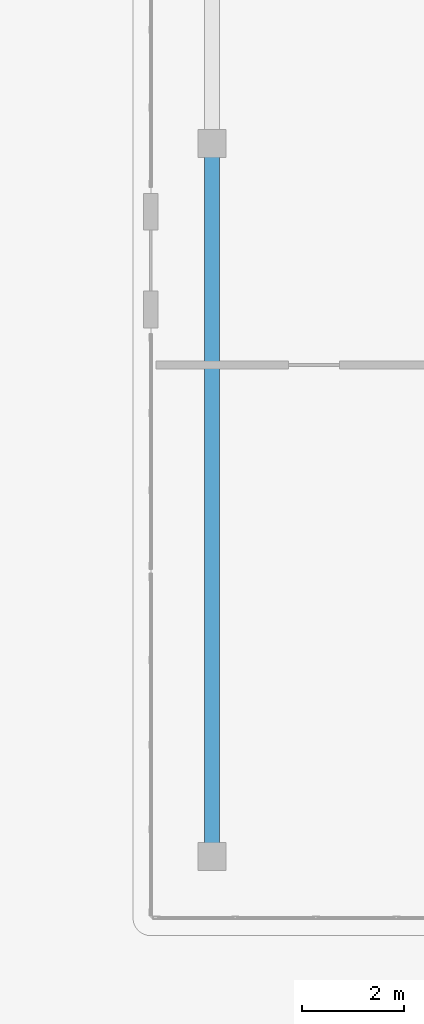
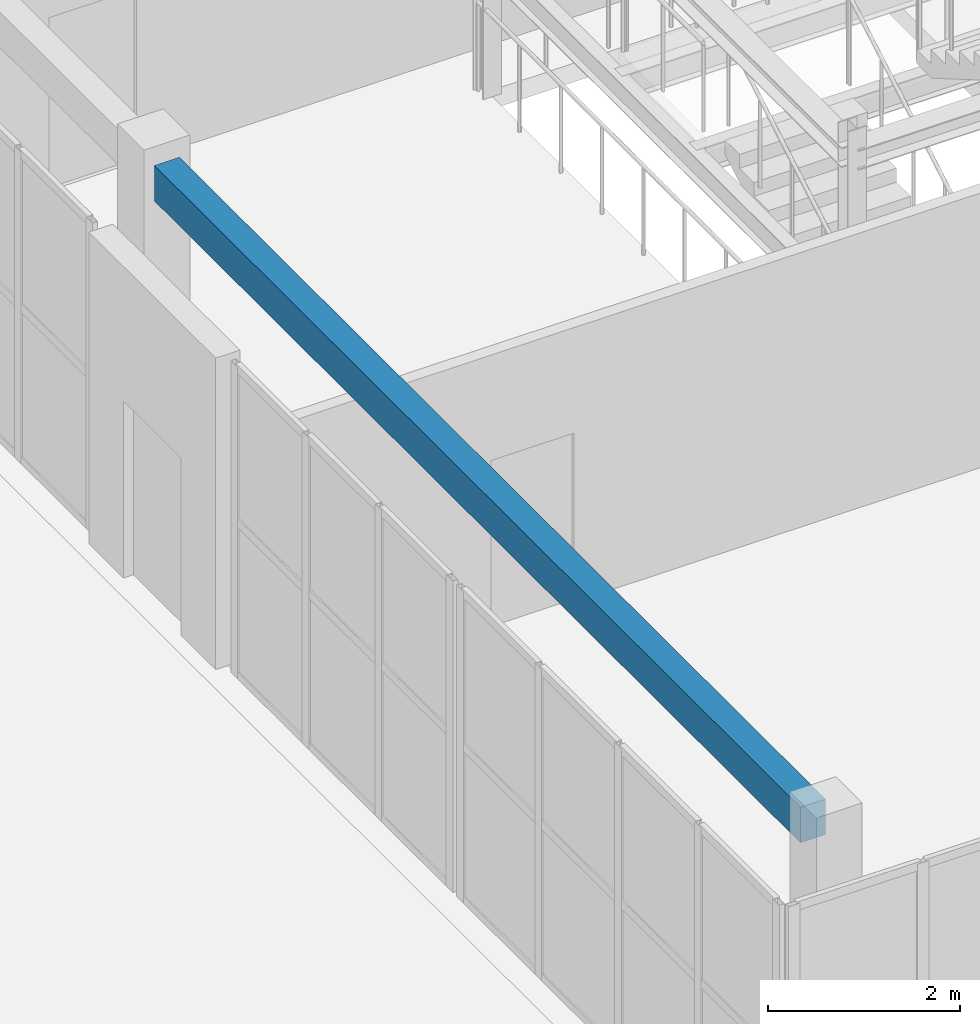
# One storey, part 18 of 90: 1 beam.
"""IFC4 building model written with IfcOpenShell, lengths in metres."""

from ifc_helpers import new_model, si_unit, direction, frame, origin, origin_2d, place, context, subcontext, project, spatial, rectangle, extrude, material, material_profile, profile_set, type_object, element, save


model = new_model("IFC4")

# Units and contexts
model_context = context("Model", 3, precision=1e-05, world=origin(), true_north=direction((0.0, 1.0)))
body_context = subcontext(model_context, "Body", "Model", "MODEL_VIEW")
ifc_project = project(units=[si_unit("LENGTHUNIT", "METRE"), si_unit("AREAUNIT", "SQUARE_METRE"), si_unit("VOLUMEUNIT", "CUBIC_METRE"), si_unit("PLANEANGLEUNIT", "RADIAN"), si_unit("MASSUNIT", "GRAM", prefix="KILO")], contexts=[model_context])

# Site, building, storey
site_placement = place(None, origin())
site = spatial("IfcSite", under=ifc_project, at=site_placement, CompositionType="ELEMENT")
building_placement = place(site_placement, origin())
building = spatial("IfcBuilding", under=site, at=building_placement, Name="Trelvath General Hospital", CompositionType="ELEMENT")
storey_placement = place(building_placement, frame((0.0, 0.0, 20.39990234375)))
storey = spatial("IfcBuildingStorey", under=building, at=storey_placement, Name="L05", CompositionType="ELEMENT", Elevation=20.39990234375)

# Beam
ifc_material = material(Name="Concrete C35/45", Category="concrete")
ifc_material_profile = material_profile(ifc_material, rectangle(XDim=0.300048828125, YDim=0.449951171875, at=origin_2d()), Name="RCB300x450")
ifc_profile_set = profile_set([ifc_material_profile], Name="Concrete C35/45")
beam_type = type_object("IfcBeamType", Name="Beam RC300x450", PredefinedType="BEAM", material=ifc_profile_set)
beam_placement = place(storey_placement, frame((60.800048828125, 45.071044921875, 3.735107421875), z_axis=(0.0, 1.0, 0.0), x_axis=(-1.0, 0.0, 0.0)))
element("IfcBeam", 1, at=beam_placement, inside=storey, type_object=beam_type, Name="Cube Interior Ring Beam CUBE-W-T2 L05", PredefinedType="BEAM", context=body_context, shape_type="SweptSolid", body=[
    extrude(rectangle(XDim=0.300048828125, YDim=0.449951171875, at=origin_2d()), origin(), (0.0, 0.0, 1.0), 13.4580078125),
])

save(model, "model.ifc")
